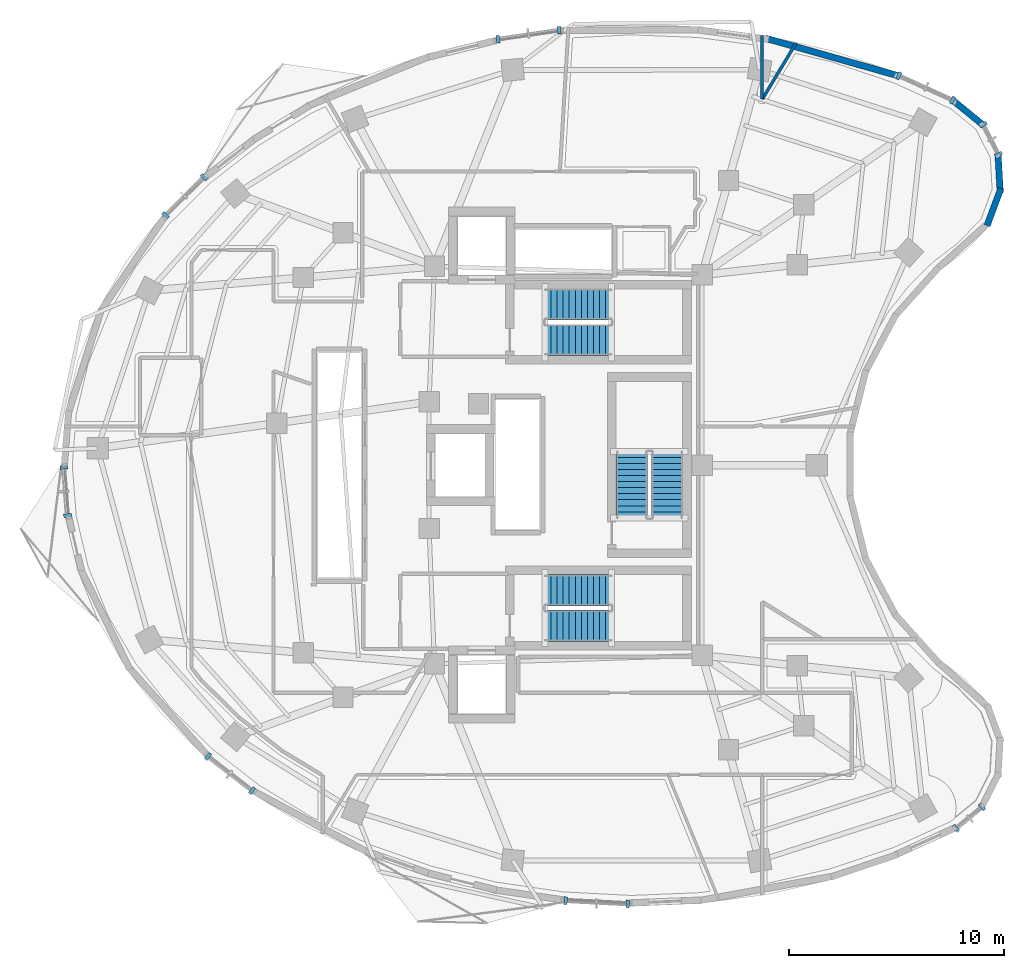
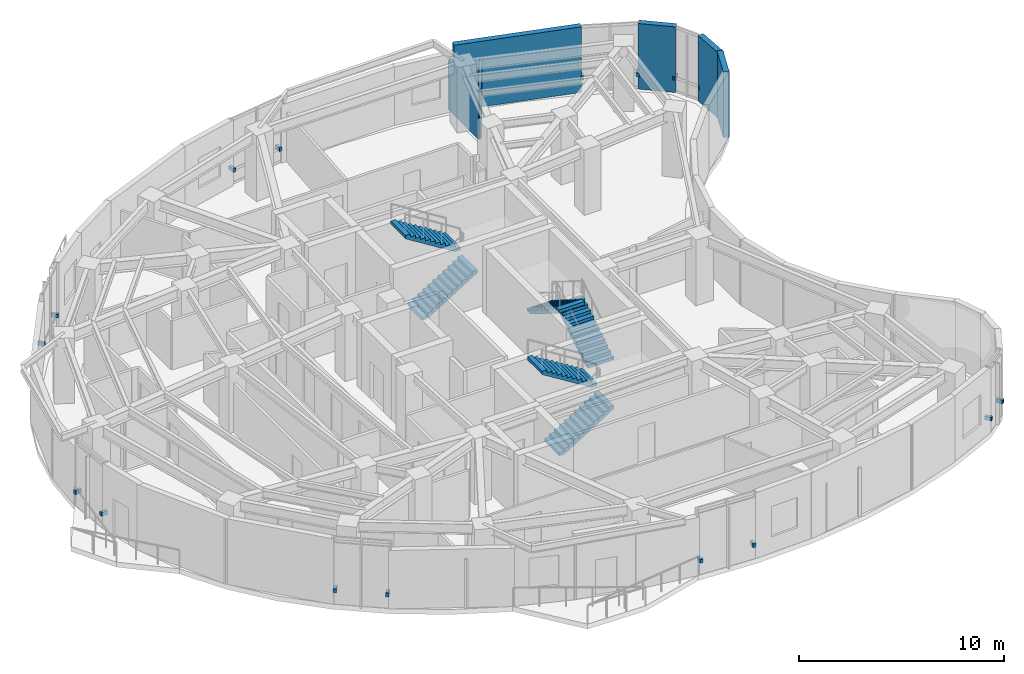
# One storey, part 10 of 13: 16 discrete accessories, 6 stair flights, 6 walls, 3 elements without a shape of their own.
"""IFC4 building model written with IfcOpenShell, lengths in metres."""

import ifcopenshell
import ifcopenshell.guid

model = None  # the IFC model being written
_history = None  # IfcOwnerHistory: only IFC2X3 demands one
_inside = {}  # id of a spatial element -> (the spatial element, [elements in it])
_under = {}  # id of a project, library or spatial element -> (it, [spatial elements below it])
_declared = {}  # id of a project -> (the project, [libraries it declares])
_typed = {}  # id of a type object -> (the type object, [elements of that type])
_made_of = {}  # id of a material, layer set ... -> (it, [elements and type objects made of it])


def new_model(schema):
    """Start an empty IFC model of exactly this schema.

    Asked for "IFC4X3", IfcOpenShell would pick the latest addendum, in which some entities
    have other attributes; the version numbers below select the first issue.
    IFC2X3 requires an IfcOwnerHistory on every rooted entity: one is made here for all.
    """
    global model, _history
    if schema == "IFC4X3":
        model = ifcopenshell.file(schema_version=(4, 3, 0, 0))
    else:
        model = ifcopenshell.file(schema=schema)
    _inside.clear()
    _under.clear()
    _declared.clear()
    _typed.clear()
    _made_of.clear()
    _history = None
    if model.schema == "IFC2X3":
        org = make("IfcOrganization", Name="unknown")
        user = make(
            "IfcPersonAndOrganization",
            ThePerson=make("IfcPerson", FamilyName="unknown"),
            TheOrganization=org,
        )
        app = make(
            "IfcApplication",
            ApplicationDeveloper=org,
            Version="unknown",
            ApplicationFullName="unknown",
            ApplicationIdentifier="unknown",
        )
        _history = make(
            "IfcOwnerHistory",
            OwningUser=user,
            OwningApplication=app,
            ChangeAction="ADDED",
            CreationDate=0,
        )
    return model


def make(cls, **values):
    """One entity of the class cls with the attributes given. An attribute that is None is left unset."""
    return model.create_entity(
        cls, **{name: value for name, value in values.items() if value is not None}
    )


def rooted(cls, **values):
    """An entity with a GlobalId (a new one), such as an element, a storey or a relation."""
    return make(cls, GlobalId=ifcopenshell.guid.new(), OwnerHistory=_history, **values)


def si_unit(unit_type, name, prefix=None):
    """IfcSIUnit, for example si_unit("LENGTHUNIT", "METRE", prefix="MILLI")."""
    return make("IfcSIUnit", UnitType=unit_type, Prefix=prefix, Name=name)


def assignment(units):
    """IfcUnitAssignment: the units of a project."""
    return None if units is None else make("IfcUnitAssignment", Units=units)


def point(xyz):
    """IfcCartesianPoint."""
    return None if xyz is None else make("IfcCartesianPoint", Coordinates=xyz)


def direction(xyz):
    """IfcDirection."""
    return None if xyz is None else make("IfcDirection", DirectionRatios=xyz)


def frame(location, z_axis=None, x_axis=None):
    """IfcAxis2Placement3D, a coordinate frame: its origin and axes. An axis left out is left unset."""
    return make(
        "IfcAxis2Placement3D",
        Location=point(location),
        Axis=direction(z_axis),
        RefDirection=direction(x_axis),
    )


def frame_2d(location, x_axis=None):
    """IfcAxis2Placement2D, a coordinate frame in the plane: its origin and x axis."""
    return make(
        "IfcAxis2Placement2D", Location=point(location), RefDirection=direction(x_axis)
    )


def origin():
    """The frame at (0, 0, 0) with its axes left unset."""
    return frame((0.0, 0.0, 0.0))


def origin_2d():
    """The frame at (0, 0) in the plane with its x axis left unset."""
    return frame_2d((0.0, 0.0))


def place(relative_to, where):
    """IfcLocalPlacement: puts the frame where relative to a parent placement (None: the world)."""
    return make(
        "IfcLocalPlacement", PlacementRelTo=relative_to, RelativePlacement=where
    )


def context(
    kind, dimensions, precision=None, world=None, true_north=None, identifier=None
):
    """IfcGeometricRepresentationContext, for example the 3D "Model" context."""
    return make(
        "IfcGeometricRepresentationContext",
        ContextIdentifier=identifier,
        ContextType=kind,
        CoordinateSpaceDimension=dimensions,
        Precision=precision,
        WorldCoordinateSystem=world,
        TrueNorth=true_north,
    )


def subcontext(parent, identifier, kind, view, scale=None):
    """IfcGeometricRepresentationSubContext, for example "Body" below "Model"."""
    return make(
        "IfcGeometricRepresentationSubContext",
        ContextIdentifier=identifier,
        ContextType=kind,
        ParentContext=parent,
        TargetScale=scale,
        TargetView=view,
    )


def project(units=None, contexts=None):
    """IfcProject with its units and contexts."""
    return rooted(
        "IfcProject",
        Name="project",
        RepresentationContexts=contexts,
        UnitsInContext=assignment(units),
    )


def spatial(cls, under=None, at=None, **own):
    """A site, building, storey or space (cls), placed at a placement, below another one or the project."""
    s = rooted(cls, ObjectPlacement=at, **own)
    if under is not None:
        _under.setdefault(under.id(), (under, []))[1].append(s)
    return s


def polyline(points):
    """IfcPolyline through the points."""
    return make("IfcPolyline", Points=[point(p) for p in points])


def profile(cls, at=None, kind="AREA", **sizes):
    """A parametric profile (cls). Its sizes go by their IFC names, for example OverallWidth=200.0."""
    return make(cls, ProfileType=kind, Position=at, **sizes)


def rectangle(**sizes):
    """IfcRectangleProfileDef."""
    return profile("IfcRectangleProfileDef", **sizes)


def outline(outer, holes=None, kind="AREA"):
    """IfcArbitraryClosedProfileDef: a profile drawn as a closed curve; with holes, ...WithVoids."""
    if holes is None:
        return make("IfcArbitraryClosedProfileDef", ProfileType=kind, OuterCurve=outer)
    return make(
        "IfcArbitraryProfileDefWithVoids",
        ProfileType=kind,
        OuterCurve=outer,
        InnerCurves=holes,
    )


def extrude(swept, where, along, depth):
    """IfcExtrudedAreaSolid: the profile swept, set in the frame where, extruded along a direction by depth."""
    return make(
        "IfcExtrudedAreaSolid",
        SweptArea=swept,
        Position=where,
        ExtrudedDirection=direction(along),
        Depth=depth,
    )


def shape(context_of_items, identifier, shape_type, items):
    """IfcShapeRepresentation: the items that make up one representation, for example the "Body"."""
    return make(
        "IfcShapeRepresentation",
        ContextOfItems=context_of_items,
        RepresentationIdentifier=identifier,
        RepresentationType=shape_type,
        Items=items,
    )


def material(Name=None, Category=None):
    """IfcMaterial."""
    return make("IfcMaterial", Name=Name, Category=Category)


def layer(
    of_material, thickness, ventilated=None, Name=None, Category=None, Priority=None
):
    """IfcMaterialLayer: one layer of a wall or slab, of a material (None: an air gap)."""
    return make(
        "IfcMaterialLayer",
        Material=of_material,
        LayerThickness=thickness,
        IsVentilated=ventilated,
        Name=Name,
        Category=Category,
        Priority=Priority,
    )


def layer_set(layers, Name=None):
    """IfcMaterialLayerSet."""
    return make("IfcMaterialLayerSet", MaterialLayers=layers, LayerSetName=Name)


def made_of(thing, what):
    """Note that an element or type object is made of a material, layer set ...; save() writes the relation."""
    if what is not None:
        _made_of.setdefault(what.id(), (what, []))[1].append(thing)
    return thing


def type_object(cls, material=None, **own):
    """A type object (cls), such as IfcWallType, which elements share."""
    return made_of(rooted(cls, **own), material)


def element(
    cls,
    number,
    at=None,
    inside=None,
    cuts=None,
    type_object=None,
    material=None,
    context=None,
    identifier="Body",
    shape_type=None,
    held_by="IfcProductDefinitionShape",
    body=None,
    shapes=None,
    **own,
):
    """One element of the class cls, such as IfcWall. Its Tag is "e" and its number.

    at: its placement. inside: the storey or other place that contains it. cuts: it is an
    opening in that element (IfcRelVoidsElement). A single representation is given by context,
    identifier, shape_type and body (its items); several are given by shapes. held_by: the class
    of the entity that holds the representations. save() writes the other relations.
    """
    e = rooted(cls, Tag="e%d" % number, ObjectPlacement=at, **own)
    if body is not None:
        shapes = [shape(context, identifier, shape_type, body)]
    if shapes is not None:
        e.Representation = make(held_by, Representations=shapes)
    if inside is not None:
        _inside.setdefault(inside.id(), (inside, []))[1].append(e)
    if cuts is not None:
        rooted(
            "IfcRelVoidsElement", RelatingBuildingElement=cuts, RelatedOpeningElement=e
        )
    if type_object is not None:
        _typed.setdefault(type_object.id(), (type_object, []))[1].append(e)
    return made_of(e, material)


def aggregate(whole, parts):
    """IfcRelAggregates: a whole, such as a stair, and the parts it consists of."""
    return rooted("IfcRelAggregates", RelatingObject=whole, RelatedObjects=parts)


def save(model, path):
    """Write the relations noted so far, then the file.

    IfcRelAggregates (storeys below a building ...), IfcRelContainedInSpatialStructure (elements
    in a storey), IfcRelDefinesByType, IfcRelAssociatesMaterial and IfcRelDeclares: one each for
    every whole, place, type object, material and project.
    """
    for whole, parts in _under.values():
        aggregate(whole, parts)
    for where, things in _inside.values():
        rooted(
            "IfcRelContainedInSpatialStructure",
            RelatedElements=things,
            RelatingStructure=where,
        )
    for kind, things in _typed.values():
        rooted("IfcRelDefinesByType", RelatedObjects=things, RelatingType=kind)
    for what, things in _made_of.values():
        rooted("IfcRelAssociatesMaterial", RelatedObjects=things, RelatingMaterial=what)
    for by, libraries in _declared.values():
        rooted("IfcRelDeclares", RelatingContext=by, RelatedDefinitions=libraries)
    model.write(path)


model = new_model("IFC4")

# Units and contexts
model_context = context("Model", 3, precision=1e-05, world=origin(), true_north=direction((0.0, 1.0)))
body_context = subcontext(model_context, "Body", "Model", "MODEL_VIEW")
ifc_project = project(units=[si_unit("LENGTHUNIT", "METRE"), si_unit("AREAUNIT", "SQUARE_METRE"), si_unit("VOLUMEUNIT", "CUBIC_METRE"), si_unit("PLANEANGLEUNIT", "RADIAN"), si_unit("MASSUNIT", "GRAM", prefix="KILO")], contexts=[model_context])

# Site, building, storey
site_placement = place(None, origin())
site = spatial("IfcSite", under=ifc_project, at=site_placement, CompositionType="ELEMENT")
building_placement = place(site_placement, origin())
building = spatial("IfcBuilding", under=site, at=building_placement, Name="Korentha Bioscience Tower", CompositionType="ELEMENT")
storey_placement = place(building_placement, frame((0.0, 0.0, 192.0)))
storey = spatial("IfcBuildingStorey", under=building, at=storey_placement, Name="L44", CompositionType="ELEMENT", Elevation=192.0)

# Walls
ifc_material_1 = material(Name="Insulated Aluminium Honeycomb Panel", Category="aluminium")
ifc_layer_1 = layer(ifc_material_1, 0.139892578125, Name="Insulated Aluminium Honeycomb Panel")
ifc_layer_set_1 = layer_set([ifc_layer_1], Name="Insulated Aluminium Honeycomb Panel (IW-F60)")
wall_type_1 = type_object("IfcWallType", Name="Cleanroom Flush Metal Panel Partition 140", PredefinedType="PARTITIONING", material=ifc_layer_set_1)
wall_1_placement = place(storey_placement, frame((40.347900390625, 46.990966796875, 0.0), z_axis=(0.0, 0.0, 1.0), x_axis=(0.0, -1.0, 0.0)))
element("IfcWall", 1, at=wall_1_placement, inside=storey, type_object=wall_type_1, Name="L44 Interior Partition 047", PredefinedType="PARTITIONING", context=body_context, shape_type="SweptSolid", body=[
    extrude(rectangle(XDim=2.958984375, YDim=0.139892578125, at=frame_2d((1.4794921875, 0.0))), origin(), (0.0, 0.0, 1.0), 2.909912109375),
])
wall_2_placement = place(storey_placement, frame((40.35546875, 44.030029296875, 0.0), z_axis=(0.0, 0.0, 1.0), x_axis=(0.515061691841, 0.857153109776, 0.0)))
element("IfcWall", 2, at=wall_2_placement, inside=storey, type_object=wall_type_1, Name="L44 Interior Partition 048", PredefinedType="PARTITIONING", context=body_context, shape_type="SweptSolid", body=[
    extrude(rectangle(XDim=3.04443359375, YDim=0.139892578125, at=frame_2d((1.522216796875, 0.0))), origin(), (0.0, 0.0, 1.0), 2.909912109375),
])
ifc_material_2 = material(Name="Honed Limestone Precast Concrete C40", Category="masonry")
ifc_layer_2 = layer(ifc_material_2, 0.300048828125, Name="Honed Limestone Precast Concrete C40")
ifc_layer_set_2 = layer_set([ifc_layer_2], Name="Honed Limestone Precast Concrete C40 (EW-ST300)")
wall_type_2 = type_object("IfcWallType", Name="Honed Limestone Cavity Spandrel Wall 300", PredefinedType="STANDARD", material=ifc_layer_set_2)
wall_3_placement = place(storey_placement, frame((46.659912109375, 45.119384765625, 0.0), z_axis=(0.0, 0.0, 1.0), x_axis=(-0.962163849422, 0.272471515694, 0.0)))
element("IfcWall", 3, at=wall_3_placement, inside=storey, type_object=wall_type_2, Name="L44 Limestone Perimeter Closure Wall 02", PredefinedType="STANDARD", context=body_context, shape_type="SweptSolid", body=[
    extrude(rectangle(XDim=6.4091796875, YDim=0.300048828125, at=frame_2d((3.20458984375, 0.0))), origin(), (0.0, 0.0, 1.0), 3.89990234375),
])
for number, where, z_axis, x_axis, name in (
    (4, (50.811279296875, 38.143310546875, 0.0), (0.0, 0.0, 1.0), (0.348984166898, 0.937128620443, 0.0), "L44 Limestone Perimeter Closure Wall 59"),
    (5, (51.425537109375, 39.6669921875, 0.0), (0.0, 0.0, 1.0), (-0.057485341891, 0.998346350455, 0.0), "L44 Limestone Perimeter Closure Wall 60"),
    (6, (50.668212890625, 42.7919921875, 0.0), (0.0, 0.0, 1.0), (-0.774174596654, 0.632972111467, 0.0), "L44 Limestone Perimeter Closure Wall 62"),
):
    element("IfcWall", number, at=place(storey_placement, frame(where, z_axis=z_axis, x_axis=x_axis)), inside=storey, type_object=wall_type_2, Name=name, PredefinedType="STANDARD", context=body_context, shape_type="SweptSolid", body=[
        extrude(rectangle(XDim=1.851806640625, YDim=0.300048828125, at=frame_2d((0.92578125, 0.0))), origin(), (0.0, 0.0, 1.0), 3.89990234375),
    ])

# Stair, stair flights
ifc_material_3 = material(Name="Precast Concrete C50", Category="concrete")
stair_type = type_object("IfcStairType", Name="Core Exit Dog-Leg Stair 1450", PredefinedType="HALF_TURN_STAIR", material=ifc_material_3)
stair_1_placement = place(storey_placement, origin())
stair_1 = element("IfcStair", 7, at=stair_1_placement, inside=storey, type_object=stair_type, Name="L44 Tower North Pressurized Exit Stair ST-1", PredefinedType="HALF_TURN_STAIR")
stair_flight_type = type_object("IfcStairFlightType", Name="Core Exit Dog-Leg Stair 1450 Flight", PredefinedType="STRAIGHT", material=ifc_material_3)
stair_flight_1_placement = place(storey_placement, frame((30.25, 32.824951171875, 0.0), z_axis=(0.0, 0.0, 1.0), x_axis=(1.0, 0.0, 0.0)))
stair_flight_1 = element("IfcStairFlight", 8, at=stair_flight_1_placement, type_object=stair_flight_type, Name="ST-1 flight 1", NumberOfRisers=12, NumberOfTreads=11, PredefinedType="STRAIGHT", RiserHeight=0.175, TreadLength=0.28, context=body_context, shape_type="SweptSolid", body=[
    extrude(outline(polyline([(0.0, 0.0), (0.0, 0.175048828125), (0.280029296875, 0.175048828125), (0.280029296875, 0.35009765625), (0.56005859375, 0.35009765625), (0.56005859375, 0.52490234375), (0.840087890625, 0.52490234375), (0.840087890625, 0.699951171875), (1.1201171875, 0.699951171875), (1.1201171875, 0.875), (1.39990234375, 0.875), (1.39990234375, 1.050048828125), (1.679931640625, 1.050048828125), (1.679931640625, 1.22509765625), (1.9599609375, 1.22509765625), (1.9599609375, 1.39990234375), (2.239990234375, 1.39990234375), (2.239990234375, 1.574951171875), (2.52001953125, 1.574951171875), (2.52001953125, 1.75), (2.800048828125, 1.75), (2.800048828125, 1.925048828125), (3.080078125, 1.925048828125), (3.080078125, 2.10009765625), (3.080078125, 1.736328125), (0.3017578125, 0.0), (0.0, 0.0)])), frame((0.0, 0.72509765625, 0.0), z_axis=(0.0, -1.0, 0.0), x_axis=(1.0, 0.0, 0.0)), (0.0, 0.0, 1.0), 1.449951171875),
])
stair_flight_2_placement = place(storey_placement, frame((33.330078125, 34.47509765625, 2.10009765625), z_axis=(0.0, 0.0, 1.0), x_axis=(-1.0, 0.0, 0.0)))
stair_flight_2 = element("IfcStairFlight", 9, at=stair_flight_2_placement, type_object=stair_flight_type, Name="ST-1 flight 2", NumberOfRisers=12, NumberOfTreads=11, PredefinedType="STRAIGHT", RiserHeight=0.175, TreadLength=0.28, context=body_context, shape_type="SweptSolid", body=[
    extrude(outline(polyline([(0.0, 0.0), (0.0, 0.175048828125), (0.280029296875, 0.175048828125), (0.280029296875, 0.35009765625), (0.56005859375, 0.35009765625), (0.56005859375, 0.52490234375), (0.840087890625, 0.52490234375), (0.840087890625, 0.699951171875), (1.1201171875, 0.699951171875), (1.1201171875, 0.875), (1.39990234375, 0.875), (1.39990234375, 1.050048828125), (1.679931640625, 1.050048828125), (1.679931640625, 1.22509765625), (1.9599609375, 1.22509765625), (1.9599609375, 1.39990234375), (2.239990234375, 1.39990234375), (2.239990234375, 1.574951171875), (2.52001953125, 1.574951171875), (2.52001953125, 1.75), (2.800048828125, 1.75), (2.800048828125, 1.925048828125), (3.080078125, 1.925048828125), (3.080078125, 2.10009765625), (3.080078125, 1.736328125), (0.3017578125, 0.0), (0.0, 0.0)])), frame((0.0, 0.72509765625, 0.0), z_axis=(0.0, -1.0, 0.0), x_axis=(1.0, 0.0, 0.0)), (0.0, 0.0, 1.0), 1.449951171875),
])
aggregate(stair_1, [stair_flight_1, stair_flight_2])

stair_2_placement = place(storey_placement, origin())
stair_2 = element("IfcStair", 10, at=stair_2_placement, inside=storey, type_object=stair_type, Name="L44 Tower South Pressurized Exit Stair ST-2", PredefinedType="HALF_TURN_STAIR")
stair_flight_3_placement = place(storey_placement, frame((30.25, 19.52490234375, 0.0), z_axis=(0.0, 0.0, 1.0), x_axis=(1.0, 0.0, 0.0)))
stair_flight_3 = element("IfcStairFlight", 11, at=stair_flight_3_placement, type_object=stair_flight_type, Name="ST-2 flight 1", NumberOfRisers=12, NumberOfTreads=11, PredefinedType="STRAIGHT", RiserHeight=0.175, TreadLength=0.28, context=body_context, shape_type="SweptSolid", body=[
    extrude(outline(polyline([(0.0, 0.0), (0.0, 0.175048828125), (0.280029296875, 0.175048828125), (0.280029296875, 0.35009765625), (0.56005859375, 0.35009765625), (0.56005859375, 0.52490234375), (0.840087890625, 0.52490234375), (0.840087890625, 0.699951171875), (1.1201171875, 0.699951171875), (1.1201171875, 0.875), (1.39990234375, 0.875), (1.39990234375, 1.050048828125), (1.679931640625, 1.050048828125), (1.679931640625, 1.22509765625), (1.9599609375, 1.22509765625), (1.9599609375, 1.39990234375), (2.239990234375, 1.39990234375), (2.239990234375, 1.574951171875), (2.52001953125, 1.574951171875), (2.52001953125, 1.75), (2.800048828125, 1.75), (2.800048828125, 1.925048828125), (3.080078125, 1.925048828125), (3.080078125, 2.10009765625), (3.080078125, 1.736328125), (0.3017578125, 0.0), (0.0, 0.0)])), frame((0.0, 0.72509765625, 0.0), z_axis=(0.0, -1.0, 0.0), x_axis=(1.0, 0.0, 0.0)), (0.0, 0.0, 1.0), 1.449951171875),
])
stair_flight_4_placement = place(storey_placement, frame((33.330078125, 21.175048828125, 2.10009765625), z_axis=(0.0, 0.0, 1.0), x_axis=(-1.0, 0.0, 0.0)))
stair_flight_4 = element("IfcStairFlight", 12, at=stair_flight_4_placement, type_object=stair_flight_type, Name="ST-2 flight 2", NumberOfRisers=12, NumberOfTreads=11, PredefinedType="STRAIGHT", RiserHeight=0.175, TreadLength=0.28, context=body_context, shape_type="SweptSolid", body=[
    extrude(outline(polyline([(0.0, 0.0), (0.0, 0.175048828125), (0.280029296875, 0.175048828125), (0.280029296875, 0.35009765625), (0.56005859375, 0.35009765625), (0.56005859375, 0.52490234375), (0.840087890625, 0.52490234375), (0.840087890625, 0.699951171875), (1.1201171875, 0.699951171875), (1.1201171875, 0.875), (1.39990234375, 0.875), (1.39990234375, 1.050048828125), (1.679931640625, 1.050048828125), (1.679931640625, 1.22509765625), (1.9599609375, 1.22509765625), (1.9599609375, 1.39990234375), (2.239990234375, 1.39990234375), (2.239990234375, 1.574951171875), (2.52001953125, 1.574951171875), (2.52001953125, 1.75), (2.800048828125, 1.75), (2.800048828125, 1.925048828125), (3.080078125, 1.925048828125), (3.080078125, 2.10009765625), (3.080078125, 1.736328125), (0.3017578125, 0.0), (0.0, 0.0)])), frame((0.0, 0.72509765625, 0.0), z_axis=(0.0, -1.0, 0.0), x_axis=(1.0, 0.0, 0.0)), (0.0, 0.0, 1.0), 1.449951171875),
])
aggregate(stair_2, [stair_flight_3, stair_flight_4])

stair_3_placement = place(storey_placement, origin())
stair_3 = element("IfcStair", 13, at=stair_3_placement, inside=storey, type_object=stair_type, Name="L44 Tower Central Pressurized Exit Stair ST-3", PredefinedType="HALF_TURN_STAIR")
stair_flight_5_placement = place(storey_placement, frame((35.925048828125, 24.550048828125, 0.0), z_axis=(0.0, 0.0, 1.0), x_axis=(0.0, 1.0, 0.0)))
stair_flight_5 = element("IfcStairFlight", 14, at=stair_flight_5_placement, type_object=stair_flight_type, Name="ST-3 flight 1", NumberOfRisers=12, NumberOfTreads=11, PredefinedType="STRAIGHT", RiserHeight=0.175, TreadLength=0.28, context=body_context, shape_type="SweptSolid", body=[
    extrude(outline(polyline([(0.0, 0.0), (0.0, 0.175048828125), (0.280029296875, 0.175048828125), (0.280029296875, 0.35009765625), (0.56005859375, 0.35009765625), (0.56005859375, 0.52490234375), (0.840087890625, 0.52490234375), (0.840087890625, 0.699951171875), (1.1201171875, 0.699951171875), (1.1201171875, 0.875), (1.39990234375, 0.875), (1.39990234375, 1.050048828125), (1.679931640625, 1.050048828125), (1.679931640625, 1.22509765625), (1.9599609375, 1.22509765625), (1.9599609375, 1.39990234375), (2.239990234375, 1.39990234375), (2.239990234375, 1.574951171875), (2.52001953125, 1.574951171875), (2.52001953125, 1.75), (2.800048828125, 1.75), (2.800048828125, 1.925048828125), (3.080078125, 1.925048828125), (3.080078125, 2.10009765625), (3.080078125, 1.736328125), (0.3017578125, 0.0), (0.0, 0.0)])), frame((0.0, 0.72509765625, 0.0), z_axis=(0.0, -1.0, 0.0), x_axis=(1.0, 0.0, 0.0)), (0.0, 0.0, 1.0), 1.449951171875),
])
stair_flight_6_placement = place(storey_placement, frame((34.27490234375, 27.6298828125, 2.10009765625), z_axis=(0.0, 0.0, 1.0), x_axis=(0.0, -1.0, 0.0)))
stair_flight_6 = element("IfcStairFlight", 15, at=stair_flight_6_placement, type_object=stair_flight_type, Name="ST-3 flight 2", NumberOfRisers=12, NumberOfTreads=11, PredefinedType="STRAIGHT", RiserHeight=0.175, TreadLength=0.28, context=body_context, shape_type="SweptSolid", body=[
    extrude(outline(polyline([(0.0, 0.0), (0.0, 0.175048828125), (0.280029296875, 0.175048828125), (0.280029296875, 0.35009765625), (0.56005859375, 0.35009765625), (0.56005859375, 0.52490234375), (0.840087890625, 0.52490234375), (0.840087890625, 0.699951171875), (1.1201171875, 0.699951171875), (1.1201171875, 0.875), (1.39990234375, 0.875), (1.39990234375, 1.050048828125), (1.679931640625, 1.050048828125), (1.679931640625, 1.22509765625), (1.9599609375, 1.22509765625), (1.9599609375, 1.39990234375), (2.239990234375, 1.39990234375), (2.239990234375, 1.574951171875), (2.52001953125, 1.574951171875), (2.52001953125, 1.75), (2.800048828125, 1.75), (2.800048828125, 1.925048828125), (3.080078125, 1.925048828125), (3.080078125, 2.10009765625), (3.080078125, 1.736328125), (0.3017578125, 0.0), (0.0, 0.0)])), frame((0.0, 0.72509765625, 0.0), z_axis=(0.0, -1.0, 0.0), x_axis=(1.0, 0.0, 0.0)), (0.0, 0.0, 1.0), 1.449951171875),
])
aggregate(stair_3, [stair_flight_5, stair_flight_6])

# Discrete accessories
ifc_material_4 = material(Name="Stainless Steel 316", Category="steel")
discrete_accessory_type = type_object("IfcDiscreteAccessoryType", Name="Stainless Steel Solar-Screen Outrigger Bracket", PredefinedType="BRACKET", material=ifc_material_4)
for number, where, z_axis, x_axis, name in (
    (16, (49.205810546875, 43.982421875, 0.740234375), (0.0, 0.0, 1.0), (-0.910644398392, 0.413190972406, 0.0), "CW-L44-01 Solar-Screen Support Bracket 1"),
    (17, (46.70947265625, 45.114990234375, 0.740234375), (0.0, 0.0, 1.0), (-0.910644398392, 0.413190972406, 0.0), "CW-L44-01 Solar-Screen Support Bracket 2"),
    (18, (30.89990234375, 47.232666015625, 0.740234375), (0.0, 0.0, 1.0), (-0.989461919888, -0.144793332342, 0.0), "CW-L44-07 Solar-Screen Support Bracket 1"),
    (19, (28.0556640625, 46.81640625, 0.740234375), (0.0, 0.0, 1.0), (-0.989461919888, -0.144793332342, 0.0), "CW-L44-07 Solar-Screen Support Bracket 2"),
    (20, (14.37451171875, 40.389892578125, 0.740234375), (0.0, 0.0, 1.0), (-0.711460557971, -0.702726030862, 0.0), "CW-L44-13 Solar-Screen Support Bracket 1"),
    (21, (12.58984375, 38.626953125, 0.740234375), (0.0, 0.0, 1.0), (-0.711460557971, -0.702726030862, 0.0), "CW-L44-13 Solar-Screen Support Bracket 2"),
    (22, (7.8544921875, 26.89599609375, 0.740234375), (0.0, 0.0, 1.0), (0.078030772566, -0.996950950916, 0.0), "CW-L44-19 Solar-Screen Support Bracket 1"),
    (23, (8.029541015625, 24.658447265625, 0.740234375), (0.0, 0.0, 1.0), (0.078030772566, -0.996950950916, 0.0), "CW-L44-19 Solar-Screen Support Bracket 2"),
    (24, (14.565673828125, 13.443359375, 0.740234375), (0.0, 0.0, 1.0), (0.790546796919, -0.612401634454, 0.0), "CW-L44-25 Solar-Screen Support Bracket 1"),
    (25, (16.61083984375, 11.859130859375, 0.740234375), (0.0, 0.0, 1.0), (0.790546796919, -0.612401634454, 0.0), "CW-L44-25 Solar-Screen Support Bracket 2"),
    (26, (31.201171875, 6.737548828125, 0.740234375), (0.0, 0.0, 1.0), (0.998637677307, -0.052180355139, 0.0), "CW-L44-31 Solar-Screen Support Bracket 1"),
    (27, (34.089599609375, 6.586669921875, 0.740234375), (0.0, 0.0, 1.0), (0.998637677307, -0.052180355139, 0.0), "CW-L44-31 Solar-Screen Support Bracket 2"),
    (28, (49.366943359375, 10.10546875, 0.740234375), (0.0, 0.0, 1.0), (0.77425646139, 0.632871971251, 0.0), "CW-L44-37 Solar-Screen Support Bracket 1"),
    (29, (50.573974609375, 11.092041015625, 0.740234375), (0.0, 0.0, 1.0), (0.77425646139, 0.632871971251, 0.0), "CW-L44-37 Solar-Screen Support Bracket 2"),
    (30, (51.33544921875, 41.452880859375, 0.740234375), (0.0, 0.0, 1.0), (-0.45428845847, 0.890854643868, 0.0), "CW-L44-61 Solar-Screen Support Bracket 1"),
    (31, (50.627197265625, 42.842041015625, 0.740234375), (0.0, 0.0, 1.0), (-0.45428845847, 0.890854643868, 0.0), "CW-L44-61 Solar-Screen Support Bracket 2"),
):
    element("IfcDiscreteAccessory", number, at=place(storey_placement, frame(where, z_axis=z_axis, x_axis=x_axis)), inside=storey, type_object=discrete_accessory_type, Name=name, PredefinedType="BRACKET", context=body_context, shape_type="SweptSolid", body=[
        extrude(rectangle(XDim=0.159912109375, YDim=0.360107421875, at=origin_2d()), origin(), (0.0, 0.0, 1.0), 0.219970703125),
    ])

save(model, "model.ifc")
